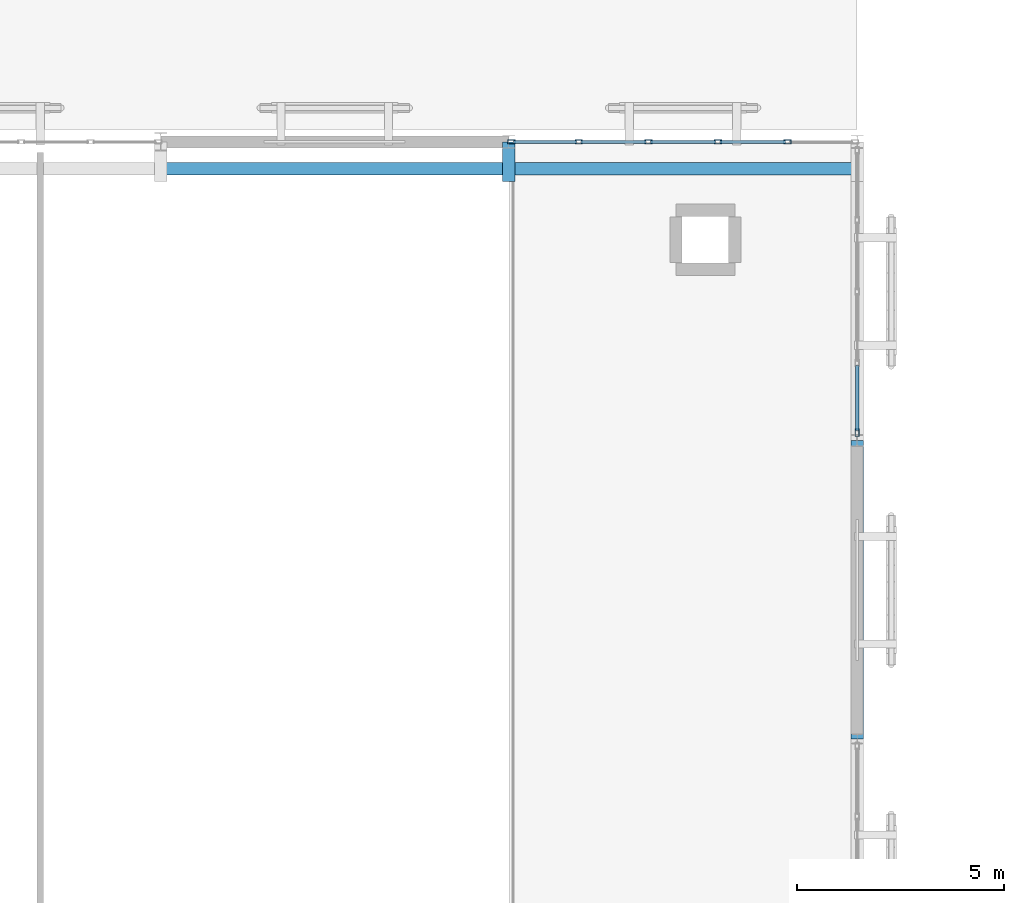
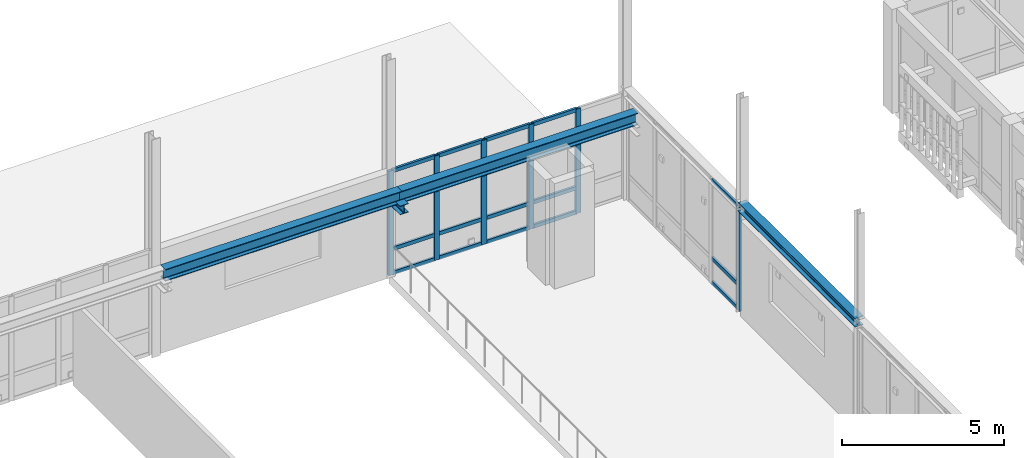
# One storey, part 85 of 170: 21 members, 4 beams, 2 elements without a shape of their own.
"""IFC4 building model written with IfcOpenShell, lengths in metres."""

from ifc_helpers import new_model, si_unit, direction, frame, origin, origin_2d, place, context, subcontext, project, spatial, hollow_rectangle, i_section, extrude, material, layer, layer_set, material_profile, profile_set, type_object, element, aggregate, save


model = new_model("IFC4")

# Units and contexts
model_context = context("Model", 3, precision=1e-05, world=origin(), true_north=direction((0.0, 1.0)))
body_context = subcontext(model_context, "Body", "Model", "MODEL_VIEW")
ifc_project = project(units=[si_unit("LENGTHUNIT", "METRE"), si_unit("AREAUNIT", "SQUARE_METRE"), si_unit("VOLUMEUNIT", "CUBIC_METRE"), si_unit("PLANEANGLEUNIT", "RADIAN"), si_unit("MASSUNIT", "GRAM", prefix="KILO")], contexts=[model_context])

# Site, building, storey
site_placement = place(None, origin())
site = spatial("IfcSite", under=ifc_project, at=site_placement, CompositionType="ELEMENT")
building_placement = place(site_placement, origin())
building = spatial("IfcBuilding", under=site, at=building_placement, Name="Mazaris Harbour Polytechnic", CompositionType="ELEMENT")
storey_placement = place(building_placement, frame((0.0, 0.0, 5.39990234375)))
storey = spatial("IfcBuildingStorey", under=building, at=storey_placement, Name="L01", CompositionType="ELEMENT", Elevation=5.39990234375)

# Beams
ifc_material_1 = material(Name="Steel S355", Category="steel")
ifc_material_profile_1 = material_profile(ifc_material_1, i_section(OverallWidth=0.300048828125, OverallDepth=0.449951171875, WebThickness=0.013916015625, FlangeThickness=0.02587890625, FilletRadius=0.027099609375, at=origin_2d()), Name="HEB 450")
ifc_profile_set_1 = profile_set([ifc_material_profile_1], Name="Steel S355")
beam_type_1 = type_object("IfcBeamType", Name="Crane Runway HEB450", PredefinedType="USERDEFINED", material=ifc_profile_set_1)
beam_1_placement = place(storey_placement, frame((96.0, 107.35009765625, 3.400146484375), z_axis=(1.0, 0.0, 0.0), x_axis=(0.0, 1.0, 0.0)))
element("IfcBeam", 1, at=beam_1_placement, inside=storey, type_object=beam_type_1, Name="V1 10t Bridge Crane Runway 13", ObjectType="CRANE RUNWAY", PredefinedType="USERDEFINED", context=body_context, shape_type="SweptSolid", body=[
    extrude(i_section(OverallWidth=0.300048828125, OverallDepth=0.449951171875, WebThickness=0.013916015625, FlangeThickness=0.02587890625, FilletRadius=0.027099609375, at=origin_2d()), origin(), (0.0, 0.0, 1.0), 8.39990234375),
])
beam_2_placement = place(storey_placement, frame((104.39990234375, 107.35009765625, 3.400146484375), z_axis=(1.0, 0.0, 0.0), x_axis=(0.0, 1.0, 0.0)))
element("IfcBeam", 2, at=beam_2_placement, inside=storey, type_object=beam_type_1, Name="V1 10t Bridge Crane Runway 14", ObjectType="CRANE RUNWAY", PredefinedType="USERDEFINED", context=body_context, shape_type="SweptSolid", body=[
    extrude(i_section(OverallWidth=0.300048828125, OverallDepth=0.449951171875, WebThickness=0.013916015625, FlangeThickness=0.02587890625, FilletRadius=0.027099609375, at=origin_2d()), origin(), (0.0, 0.0, 1.0), 8.400146484375),
])

# Curtain wall, members
ifc_material_2 = material(Name="Anodised Bronze Aluminium and Low-E Glass", Category="aluminium")
ifc_layer = layer(ifc_material_2, 0.14990234375, Name="Anodised Bronze Aluminium and Low-E Glass")
ifc_layer_set = layer_set([ifc_layer], Name="Anodised Bronze Aluminium and Low-E Glass")
curtain_wall_type = type_object("IfcCurtainWallType", Name="Workshop Clerestory Curtain Wall", PredefinedType="NOTDEFINED", material=ifc_layer_set)
curtain_wall_1_placement = place(storey_placement, origin())
curtain_wall_1 = element("IfcCurtainWall", 3, at=curtain_wall_1_placement, inside=storey, type_object=curtain_wall_type, Name="V1 L01 Curtain Wall 20", PredefinedType="NOTDEFINED")
ifc_material_3 = material(Name="Anodised Bronze Steel S355", Category="steel")
ifc_material_profile_2 = material_profile(ifc_material_3, hollow_rectangle(XDim=0.10009765625, YDim=0.179931640625, WallThickness=0.008056640625, at=origin_2d()), Name="RHS 100x180x8.0")
ifc_profile_set_2 = profile_set([ifc_material_profile_2], Name="Anodised Bronze Steel S355")
member_type_1 = type_object("IfcMemberType", Name="Curtain Mullion RHS100x180", PredefinedType="MULLION", material=ifc_profile_set_2)
member_1_placement = place(storey_placement, frame((104.4580078125, 108.0, 0.0), z_axis=(0.0, 0.0, 1.0), x_axis=(0.0, 1.0, 0.0)))
member_1 = element("IfcMember", 4, at=member_1_placement, type_object=member_type_1, Name="CW-04 mullion 1", PredefinedType="MULLION", context=body_context, shape_type="SweptSolid", body=[
    extrude(hollow_rectangle(XDim=0.10009765625, YDim=0.179931640625, WallThickness=0.008056640625, at=origin_2d()), origin(), (0.0, 0.0, 1.0), 3.920166015625),
])
member_2_placement = place(storey_placement, frame((106.084716796875, 108.0, 0.0), z_axis=(0.0, 0.0, 1.0), x_axis=(0.0, 1.0, 0.0)))
member_2 = element("IfcMember", 5, at=member_2_placement, type_object=member_type_1, Name="CW-04 mullion 2", PredefinedType="MULLION", context=body_context, shape_type="SweptSolid", body=[
    extrude(hollow_rectangle(XDim=0.10009765625, YDim=0.179931640625, WallThickness=0.008056640625, at=origin_2d()), origin(), (0.0, 0.0, 1.0), 3.920166015625),
])
member_3_placement = place(storey_placement, frame((107.76171875, 108.0, 0.0), z_axis=(0.0, 0.0, 1.0), x_axis=(0.0, 1.0, 0.0)))
member_3 = element("IfcMember", 6, at=member_3_placement, type_object=member_type_1, Name="CW-04 mullion 3", PredefinedType="MULLION", context=body_context, shape_type="SweptSolid", body=[
    extrude(hollow_rectangle(XDim=0.10009765625, YDim=0.179931640625, WallThickness=0.008056640625, at=origin_2d()), origin(), (0.0, 0.0, 1.0), 3.920166015625),
])
member_4_placement = place(storey_placement, frame((109.4384765625, 108.0, 0.0), z_axis=(0.0, 0.0, 1.0), x_axis=(0.0, 1.0, 0.0)))
member_4 = element("IfcMember", 7, at=member_4_placement, type_object=member_type_1, Name="CW-04 mullion 4", PredefinedType="MULLION", context=body_context, shape_type="SweptSolid", body=[
    extrude(hollow_rectangle(XDim=0.10009765625, YDim=0.179931640625, WallThickness=0.008056640625, at=origin_2d()), origin(), (0.0, 0.0, 1.0), 3.920166015625),
])
member_5_placement = place(storey_placement, frame((111.115234375, 108.0, 0.0), z_axis=(0.0, 0.0, 1.0), x_axis=(0.0, 1.0, 0.0)))
member_5 = element("IfcMember", 8, at=member_5_placement, type_object=member_type_1, Name="CW-04 mullion 5", PredefinedType="MULLION", context=body_context, shape_type="SweptSolid", body=[
    extrude(hollow_rectangle(XDim=0.10009765625, YDim=0.179931640625, WallThickness=0.008056640625, at=origin_2d()), origin(), (0.0, 0.0, 1.0), 3.920166015625),
])

# Curtain wall, member
curtain_wall_2_placement = place(storey_placement, origin())
curtain_wall_2 = element("IfcCurtainWall", 9, at=curtain_wall_2_placement, inside=storey, type_object=curtain_wall_type, Name="V1 L01 Curtain Wall 24", PredefinedType="NOTDEFINED")
member_6_placement = place(storey_placement, frame((112.800048828125, 100.987060546875, 0.0), z_axis=(0.0, 0.0, 1.0), x_axis=(1.0, 0.0, 0.0)))
member_6 = element("IfcMember", 10, at=member_6_placement, type_object=member_type_1, Name="CW-04 mullion 5", PredefinedType="MULLION", context=body_context, shape_type="SweptSolid", body=[
    extrude(hollow_rectangle(XDim=0.10009765625, YDim=0.179931640625, WallThickness=0.008056640625, at=origin_2d()), origin(), (0.0, 0.0, 1.0), 3.920166015625),
])

# Member
ifc_material_4 = material(Name="Anodised Bronze Steel S355", Category="steel")
ifc_material_profile_3 = material_profile(ifc_material_4, hollow_rectangle(XDim=0.080078125, YDim=0.139892578125, WallThickness=0.00634765625, at=origin_2d()), Name="RHS 80x140x6.3")
ifc_profile_set_3 = profile_set([ifc_material_profile_3], Name="Anodised Bronze Steel S355")
member_type_2 = type_object("IfcMemberType", Name="Curtain Transom RHS80x140", PredefinedType="USERDEFINED", material=ifc_profile_set_3)
member_7_placement = place(storey_placement, frame((104.508056640625, 108.0, 0.0400390625), z_axis=(1.0, 0.0, 0.0), x_axis=(0.0, 1.0, 0.0)))
member_7 = element("IfcMember", 11, at=member_7_placement, type_object=member_type_2, Name="CW-04 transom 1.1", ObjectType="TRANSOM", PredefinedType="USERDEFINED", context=body_context, shape_type="SweptSolid", body=[
    extrude(hollow_rectangle(XDim=0.080078125, YDim=0.139892578125, WallThickness=0.00634765625, at=origin_2d()), origin(), (0.0, 0.0, 1.0), 1.52685546875),
])

member_8_placement = place(storey_placement, frame((104.508056640625, 108.0, 0.9501953125), z_axis=(1.0, 0.0, 0.0), x_axis=(0.0, 1.0, 0.0)))
member_8 = element("IfcMember", 12, at=member_8_placement, type_object=member_type_2, Name="CW-04 transom 1.2", ObjectType="TRANSOM", PredefinedType="USERDEFINED", context=body_context, shape_type="SweptSolid", body=[
    extrude(hollow_rectangle(XDim=0.080078125, YDim=0.139892578125, WallThickness=0.00634765625, at=origin_2d()), origin(), (0.0, 0.0, 1.0), 1.52685546875),
])

member_9_placement = place(storey_placement, frame((104.508056640625, 108.0, 3.880126953125), z_axis=(1.0, 0.0, 0.0), x_axis=(0.0, 1.0, 0.0)))
member_9 = element("IfcMember", 13, at=member_9_placement, type_object=member_type_2, Name="CW-04 transom 1.3", ObjectType="TRANSOM", PredefinedType="USERDEFINED", context=body_context, shape_type="SweptSolid", body=[
    extrude(hollow_rectangle(XDim=0.080078125, YDim=0.139892578125, WallThickness=0.00634765625, at=origin_2d()), origin(), (0.0, 0.0, 1.0), 1.52685546875),
])

member_10_placement = place(storey_placement, frame((106.134765625, 108.0, 0.0400390625), z_axis=(1.0, 0.0, 0.0), x_axis=(0.0, 1.0, 0.0)))
member_10 = element("IfcMember", 14, at=member_10_placement, type_object=member_type_2, Name="CW-04 transom 2.1", ObjectType="TRANSOM", PredefinedType="USERDEFINED", context=body_context, shape_type="SweptSolid", body=[
    extrude(hollow_rectangle(XDim=0.080078125, YDim=0.139892578125, WallThickness=0.00634765625, at=origin_2d()), origin(), (0.0, 0.0, 1.0), 1.576904296875),
])

member_11_placement = place(storey_placement, frame((106.134765625, 108.0, 0.9501953125), z_axis=(1.0, 0.0, 0.0), x_axis=(0.0, 1.0, 0.0)))
member_11 = element("IfcMember", 15, at=member_11_placement, type_object=member_type_2, Name="CW-04 transom 2.2", ObjectType="TRANSOM", PredefinedType="USERDEFINED", context=body_context, shape_type="SweptSolid", body=[
    extrude(hollow_rectangle(XDim=0.080078125, YDim=0.139892578125, WallThickness=0.00634765625, at=origin_2d()), origin(), (0.0, 0.0, 1.0), 1.576904296875),
])

member_12_placement = place(storey_placement, frame((106.134765625, 108.0, 3.880126953125), z_axis=(1.0, 0.0, 0.0), x_axis=(0.0, 1.0, 0.0)))
member_12 = element("IfcMember", 16, at=member_12_placement, type_object=member_type_2, Name="CW-04 transom 2.3", ObjectType="TRANSOM", PredefinedType="USERDEFINED", context=body_context, shape_type="SweptSolid", body=[
    extrude(hollow_rectangle(XDim=0.080078125, YDim=0.139892578125, WallThickness=0.00634765625, at=origin_2d()), origin(), (0.0, 0.0, 1.0), 1.576904296875),
])

member_13_placement = place(storey_placement, frame((107.8115234375, 108.0, 0.0400390625), z_axis=(1.0, 0.0, 0.0), x_axis=(0.0, 1.0, 0.0)))
member_13 = element("IfcMember", 17, at=member_13_placement, type_object=member_type_2, Name="CW-04 transom 3.1", ObjectType="TRANSOM", PredefinedType="USERDEFINED", context=body_context, shape_type="SweptSolid", body=[
    extrude(hollow_rectangle(XDim=0.080078125, YDim=0.139892578125, WallThickness=0.00634765625, at=origin_2d()), origin(), (0.0, 0.0, 1.0), 1.576904296875),
])

member_14_placement = place(storey_placement, frame((107.8115234375, 108.0, 0.9501953125), z_axis=(1.0, 0.0, 0.0), x_axis=(0.0, 1.0, 0.0)))
member_14 = element("IfcMember", 18, at=member_14_placement, type_object=member_type_2, Name="CW-04 transom 3.2", ObjectType="TRANSOM", PredefinedType="USERDEFINED", context=body_context, shape_type="SweptSolid", body=[
    extrude(hollow_rectangle(XDim=0.080078125, YDim=0.139892578125, WallThickness=0.00634765625, at=origin_2d()), origin(), (0.0, 0.0, 1.0), 1.576904296875),
])

member_15_placement = place(storey_placement, frame((107.8115234375, 108.0, 3.880126953125), z_axis=(1.0, 0.0, 0.0), x_axis=(0.0, 1.0, 0.0)))
member_15 = element("IfcMember", 19, at=member_15_placement, type_object=member_type_2, Name="CW-04 transom 3.3", ObjectType="TRANSOM", PredefinedType="USERDEFINED", context=body_context, shape_type="SweptSolid", body=[
    extrude(hollow_rectangle(XDim=0.080078125, YDim=0.139892578125, WallThickness=0.00634765625, at=origin_2d()), origin(), (0.0, 0.0, 1.0), 1.576904296875),
])

member_16_placement = place(storey_placement, frame((109.48828125, 108.0, 0.0400390625), z_axis=(1.0, 0.0, 0.0), x_axis=(0.0, 1.0, 0.0)))
member_16 = element("IfcMember", 20, at=member_16_placement, type_object=member_type_2, Name="CW-04 transom 4.1", ObjectType="TRANSOM", PredefinedType="USERDEFINED", context=body_context, shape_type="SweptSolid", body=[
    extrude(hollow_rectangle(XDim=0.080078125, YDim=0.139892578125, WallThickness=0.00634765625, at=origin_2d()), origin(), (0.0, 0.0, 1.0), 1.576904296875),
])

member_17_placement = place(storey_placement, frame((109.48828125, 108.0, 0.9501953125), z_axis=(1.0, 0.0, 0.0), x_axis=(0.0, 1.0, 0.0)))
member_17 = element("IfcMember", 21, at=member_17_placement, type_object=member_type_2, Name="CW-04 transom 4.2", ObjectType="TRANSOM", PredefinedType="USERDEFINED", context=body_context, shape_type="SweptSolid", body=[
    extrude(hollow_rectangle(XDim=0.080078125, YDim=0.139892578125, WallThickness=0.00634765625, at=origin_2d()), origin(), (0.0, 0.0, 1.0), 1.576904296875),
])

member_18_placement = place(storey_placement, frame((109.48828125, 108.0, 3.880126953125), z_axis=(1.0, 0.0, 0.0), x_axis=(0.0, 1.0, 0.0)))
member_18 = element("IfcMember", 22, at=member_18_placement, type_object=member_type_2, Name="CW-04 transom 4.3", ObjectType="TRANSOM", PredefinedType="USERDEFINED", context=body_context, shape_type="SweptSolid", body=[
    extrude(hollow_rectangle(XDim=0.080078125, YDim=0.139892578125, WallThickness=0.00634765625, at=origin_2d()), origin(), (0.0, 0.0, 1.0), 1.576904296875),
])

aggregate(curtain_wall_1, [member_1, member_2, member_3, member_4, member_5, member_7, member_8, member_9, member_10, member_11, member_12, member_13, member_14, member_15, member_16, member_17, member_18])

member_19_placement = place(storey_placement, frame((112.800048828125, 102.613525390625, 0.0400390625), z_axis=(0.0, -1.0, 0.0), x_axis=(1.0, 0.0, 0.0)))
member_19 = element("IfcMember", 23, at=member_19_placement, type_object=member_type_2, Name="CW-04 transom 4.1", ObjectType="TRANSOM", PredefinedType="USERDEFINED", context=body_context, shape_type="SweptSolid", body=[
    extrude(hollow_rectangle(XDim=0.080078125, YDim=0.139892578125, WallThickness=0.00634765625, at=origin_2d()), origin(), (0.0, 0.0, 1.0), 1.576416015625),
])

member_20_placement = place(storey_placement, frame((112.800048828125, 102.613525390625, 0.9501953125), z_axis=(0.0, -1.0, 0.0), x_axis=(1.0, 0.0, 0.0)))
member_20 = element("IfcMember", 24, at=member_20_placement, type_object=member_type_2, Name="CW-04 transom 4.2", ObjectType="TRANSOM", PredefinedType="USERDEFINED", context=body_context, shape_type="SweptSolid", body=[
    extrude(hollow_rectangle(XDim=0.080078125, YDim=0.139892578125, WallThickness=0.00634765625, at=origin_2d()), origin(), (0.0, 0.0, 1.0), 1.576416015625),
])

member_21_placement = place(storey_placement, frame((112.800048828125, 102.613525390625, 3.880126953125), z_axis=(0.0, -1.0, 0.0), x_axis=(1.0, 0.0, 0.0)))
member_21 = element("IfcMember", 25, at=member_21_placement, type_object=member_type_2, Name="CW-04 transom 4.3", ObjectType="TRANSOM", PredefinedType="USERDEFINED", context=body_context, shape_type="SweptSolid", body=[
    extrude(hollow_rectangle(XDim=0.080078125, YDim=0.139892578125, WallThickness=0.00634765625, at=origin_2d()), origin(), (0.0, 0.0, 1.0), 1.576416015625),
])

aggregate(curtain_wall_2, [member_6, member_19, member_20, member_21])

# Beams
ifc_material_5 = material(Name="Steel S355", Category="steel")
ifc_material_profile_4 = material_profile(ifc_material_5, i_section(OverallWidth=0.300048828125, OverallDepth=0.330078125, WebThickness=0.009521484375, FlangeThickness=0.0166015625, FilletRadius=0.027099609375, at=origin_2d()), Name="HEA 340")
ifc_profile_set_4 = profile_set([ifc_material_profile_4], Name="Steel S355")
beam_type_2 = type_object("IfcBeamType", Name="Steel Beam HEA340", PredefinedType="BEAM", material=ifc_profile_set_4)
beam_3_placement = place(storey_placement, frame((104.39990234375, 108.0, 3.0400390625), z_axis=(0.0, -1.0, 0.0), x_axis=(1.0, 0.0, 0.0)))
element("IfcBeam", 26, at=beam_3_placement, inside=storey, type_object=beam_type_2, Name="V1 Crane Corbel Bracket 3569", PredefinedType="BEAM", context=body_context, shape_type="SweptSolid", body=[
    extrude(i_section(OverallWidth=0.300048828125, OverallDepth=0.330078125, WebThickness=0.009521484375, FlangeThickness=0.0166015625, FilletRadius=0.027099609375, at=origin_2d()), origin(), (0.0, 0.0, 1.0), 0.949951171875),
])
ifc_material_6 = material(Name="Steel S355", Category="steel")
ifc_material_profile_5 = material_profile(ifc_material_6, i_section(OverallWidth=0.300048828125, OverallDepth=0.330078125, WebThickness=0.009521484375, FlangeThickness=0.0166015625, FilletRadius=0.027099609375, at=origin_2d()), Name="HEA 340")
ifc_profile_set_5 = profile_set([ifc_material_profile_5], Name="Steel S355")
beam_type_3 = type_object("IfcBeamType", Name="Steel Beam HEA340 Exterior", PredefinedType="BEAM", material=ifc_profile_set_5)
beam_4_placement = place(storey_placement, frame((112.800048828125, 93.60009765625, 4.03515625), z_axis=(0.0, 1.0, 0.0), x_axis=(-1.0, 0.0, 0.0)))
element("IfcBeam", 27, at=beam_4_placement, inside=storey, type_object=beam_type_3, Name="V1 L01 Tie Girder 270", PredefinedType="BEAM", context=body_context, shape_type="SweptSolid", body=[
    extrude(i_section(OverallWidth=0.300048828125, OverallDepth=0.330078125, WebThickness=0.009521484375, FlangeThickness=0.0166015625, FilletRadius=0.027099609375, at=origin_2d()), origin(), (0.0, 0.0, 1.0), 7.199951171875),
])

save(model, "model.ifc")
